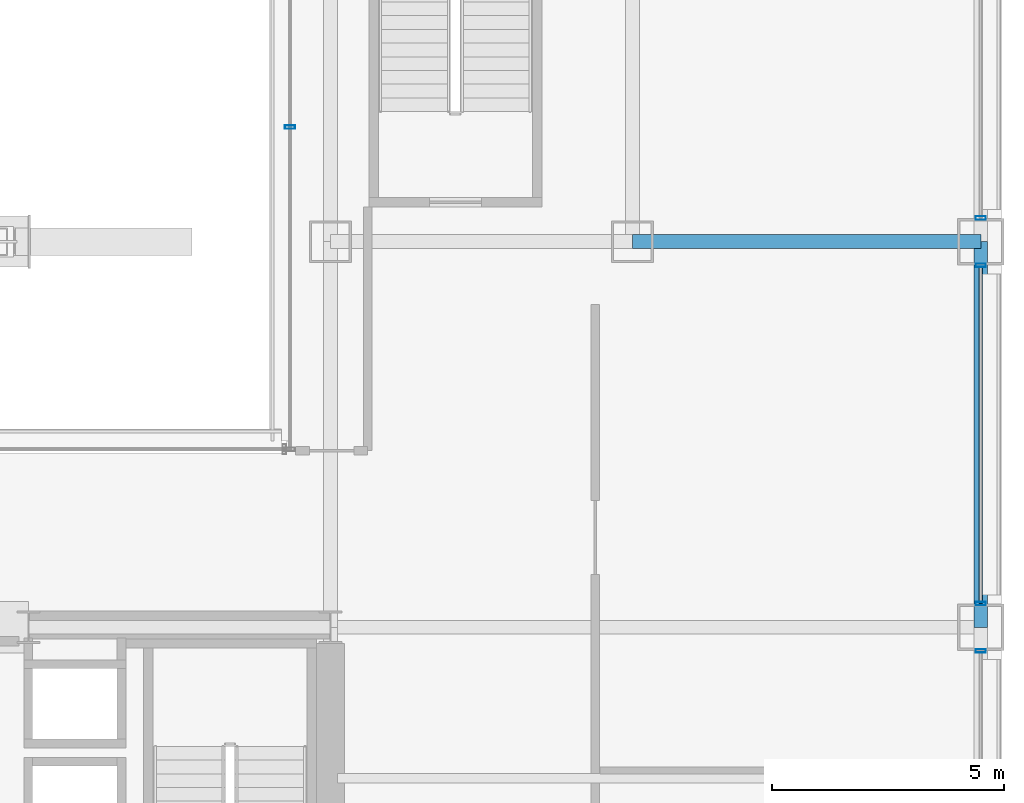
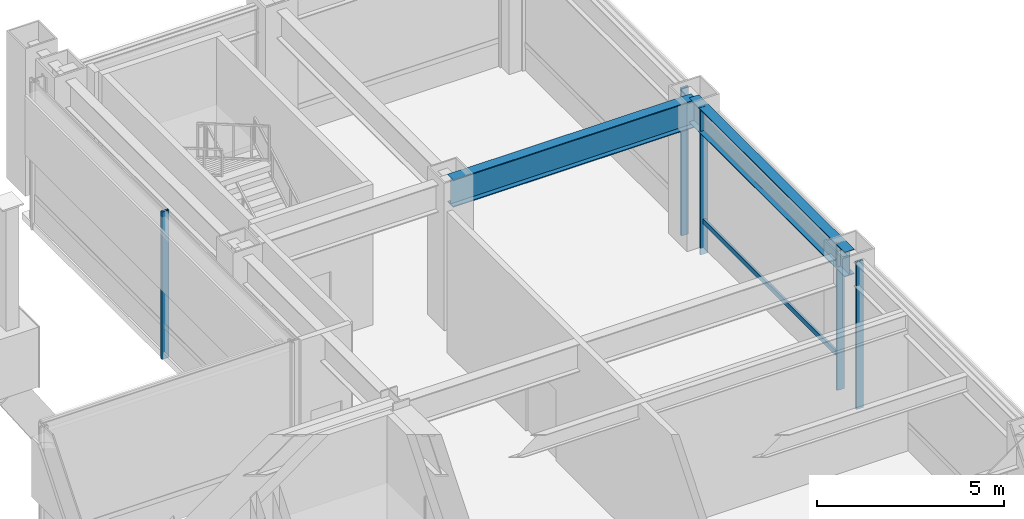
# One storey, part 25 of 42: 6 members, 2 beams, 4 elements without a shape of their own.
"""IFC4 building model written with IfcOpenShell, lengths in metres."""

from ifc_helpers import new_model, si_unit, direction, frame, origin, origin_2d, place, context, subcontext, project, spatial, hollow_rectangle, i_section, extrude, material, layer, layer_set, material_profile, profile_set, type_object, element, aggregate, save


model = new_model("IFC4")

# Units and contexts
model_context = context("Model", 3, precision=1e-05, world=origin(), true_north=direction((0.0, 1.0)))
body_context = subcontext(model_context, "Body", "Model", "MODEL_VIEW")
ifc_project = project(units=[si_unit("LENGTHUNIT", "METRE"), si_unit("AREAUNIT", "SQUARE_METRE"), si_unit("VOLUMEUNIT", "CUBIC_METRE"), si_unit("PLANEANGLEUNIT", "RADIAN"), si_unit("MASSUNIT", "GRAM", prefix="KILO")], contexts=[model_context])

# Site, building, storey
site_placement = place(None, origin())
site = spatial("IfcSite", under=ifc_project, at=site_placement, CompositionType="ELEMENT")
building_placement = place(site_placement, origin())
building = spatial("IfcBuilding", under=site, at=building_placement, Name="Brelmoor Portico Tower", CompositionType="ELEMENT")
storey_placement = place(building_placement, frame((0.0, 0.0, 9.60009765625)))
storey = spatial("IfcBuildingStorey", under=building, at=storey_placement, Name="L02", CompositionType="ELEMENT", Elevation=9.60009765625)

# Beams
ifc_material_1 = material(Name="Steel Q355B", Category="steel")
ifc_material_profile_1 = material_profile(ifc_material_1, i_section(OverallWidth=0.300048828125, OverallDepth=0.89990234375, WebThickness=0.01611328125, FlangeThickness=0.028076171875, at=origin_2d()), Name="HN 900x300x16x28")
ifc_profile_set_1 = profile_set([ifc_material_profile_1], Name="Steel Q355B")
beam_type_1 = type_object("IfcBeamType", Name="BM-PG-900", PredefinedType="BEAM", material=ifc_profile_set_1)
beam_1_placement = place(storey_placement, frame((21.050048828125, 18.050048828125, 4.1298828125), z_axis=(1.0, 0.0, 0.0), x_axis=(0.0, 1.0, 0.0)))
element("IfcBeam", 1, at=beam_1_placement, inside=storey, type_object=beam_type_1, Name="L02 Primary Floor Girder PG-43", PredefinedType="BEAM", context=body_context, shape_type="SweptSolid", body=[
    extrude(i_section(OverallWidth=0.300048828125, OverallDepth=0.89990234375, WebThickness=0.01611328125, FlangeThickness=0.028076171875, at=origin_2d()), origin(), (0.0, 0.0, 1.0), 7.5),
])
ifc_material_profile_2 = material_profile(ifc_material_1, i_section(OverallWidth=0.300048828125, OverallDepth=0.800048828125, WebThickness=0.013916015625, FlangeThickness=0.02587890625, at=origin_2d()), Name="HN 800x300x14x26")
ifc_profile_set_2 = profile_set([ifc_material_profile_2], Name="Steel Q355B")
beam_type_2 = type_object("IfcBeamType", Name="BM-SP-800", PredefinedType="SPANDREL", material=ifc_profile_set_2)
beam_2_placement = place(storey_placement, frame((28.550048828125, 9.75, 4.179931640625), z_axis=(0.0, 1.0, 0.0), x_axis=(-1.0, 0.0, 0.0)))
element("IfcBeam", 2, at=beam_2_placement, inside=storey, type_object=beam_type_2, Name="L02 Perimeter Spandrel Beam SP-19", PredefinedType="SPANDREL", context=body_context, shape_type="SweptSolid", body=[
    extrude(i_section(OverallWidth=0.300048828125, OverallDepth=0.800048828125, WebThickness=0.013916015625, FlangeThickness=0.02587890625, at=origin_2d()), origin(), (0.0, 0.0, 1.0), 8.300048828125),
])

# Curtain wall, member
ifc_material_2 = material(Name="Anodised Aluminium Alloy 6063-T6", Category="aluminium")
ifc_layer = layer(ifc_material_2, 0.179931640625)
ifc_layer_set = layer_set([ifc_layer], Name="Anodised Aluminium Alloy 6063-T6")
curtain_wall_type = type_object("IfcCurtainWallType", Name="CW-PODIUM-ARCH", PredefinedType="NOTDEFINED", material=ifc_layer_set)
curtain_wall_1_placement = place(storey_placement, origin())
curtain_wall_1 = element("IfcCurtainWall", 3, at=curtain_wall_1_placement, inside=storey, type_object=curtain_wall_type, Name="L02 Curtain Wall CW-L02-06-4", PredefinedType="NOTDEFINED")
ifc_material_profile_3 = material_profile(ifc_material_2, hollow_rectangle(XDim=0.074951171875, YDim=0.219970703125, WallThickness=0.0048828125, at=origin_2d()), Name="ALU MULLION 75x220")
ifc_profile_set_3 = profile_set([ifc_material_profile_3], Name="Anodised Aluminium Alloy 6063-T6")
member_type_1 = type_object("IfcMemberType", Name="MB-CW-MULL-220", PredefinedType="MULLION", material=ifc_profile_set_3)
member_1_placement = place(storey_placement, frame((28.550048828125, 9.239990234375, -0.22021484375), z_axis=(0.0, 0.0, 1.0), x_axis=(0.0, 1.0, 0.0)))
member_1 = element("IfcMember", 4, at=member_1_placement, type_object=member_type_1, Name="CW-L02-06-4 Mullion 01", PredefinedType="MULLION", context=body_context, shape_type="SweptSolid", body=[
    extrude(hollow_rectangle(XDim=0.074951171875, YDim=0.219970703125, WallThickness=0.0048828125, at=origin_2d()), origin(), (0.0, 0.0, 1.0), 4.800048828125),
])
aggregate(curtain_wall_1, [member_1])

# Curtain wall, members
curtain_wall_2_placement = place(storey_placement, origin())
curtain_wall_2 = element("IfcCurtainWall", 5, at=curtain_wall_2_placement, inside=storey, type_object=curtain_wall_type, Name="L02 Curtain Wall CW-L02-06-5", PredefinedType="NOTDEFINED")
member_2_placement = place(storey_placement, frame((28.550048828125, 10.260009765625, -0.22021484375), z_axis=(0.0, 0.0, 1.0), x_axis=(0.0, 1.0, 0.0)))
member_2 = element("IfcMember", 6, at=member_2_placement, type_object=member_type_1, Name="CW-L02-06-5 Mullion 00", PredefinedType="MULLION", context=body_context, shape_type="SweptSolid", body=[
    extrude(hollow_rectangle(XDim=0.074951171875, YDim=0.219970703125, WallThickness=0.0048828125, at=origin_2d()), origin(), (0.0, 0.0, 1.0), 4.800048828125),
])
member_3_placement = place(storey_placement, frame((28.550048828125, 17.5400390625, -0.22021484375), z_axis=(0.0, 0.0, 1.0), x_axis=(0.0, 1.0, 0.0)))
member_3 = element("IfcMember", 7, at=member_3_placement, type_object=member_type_1, Name="CW-L02-06-5 Mullion 01", PredefinedType="MULLION", context=body_context, shape_type="SweptSolid", body=[
    extrude(hollow_rectangle(XDim=0.074951171875, YDim=0.219970703125, WallThickness=0.0048828125, at=origin_2d()), origin(), (0.0, 0.0, 1.0), 4.800048828125),
])

# Curtain wall, member
curtain_wall_3_placement = place(storey_placement, origin())
curtain_wall_3 = element("IfcCurtainWall", 8, at=curtain_wall_3_placement, inside=storey, type_object=curtain_wall_type, Name="L02 Curtain Wall CW-L02-06-6", PredefinedType="NOTDEFINED")
member_4_placement = place(storey_placement, frame((28.550048828125, 18.56005859375, -0.22021484375), z_axis=(0.0, 0.0, 1.0), x_axis=(0.0, 1.0, 0.0)))
member_4 = element("IfcMember", 9, at=member_4_placement, type_object=member_type_1, Name="CW-L02-06-6 Mullion 00", PredefinedType="MULLION", context=body_context, shape_type="SweptSolid", body=[
    extrude(hollow_rectangle(XDim=0.074951171875, YDim=0.219970703125, WallThickness=0.0048828125, at=origin_2d()), origin(), (0.0, 0.0, 1.0), 4.800048828125),
])
aggregate(curtain_wall_3, [member_4])

curtain_wall_4_placement = place(storey_placement, origin())
curtain_wall_4 = element("IfcCurtainWall", 10, at=curtain_wall_4_placement, inside=storey, type_object=curtain_wall_type, Name="L02 Curtain Wall CW-L02-10", PredefinedType="NOTDEFINED")
member_5_placement = place(storey_placement, frame((13.679931640625, 20.514892578125, -0.22021484375), z_axis=(0.0, 0.0, 1.0), x_axis=(0.0, 1.0, 0.0)))
member_5 = element("IfcMember", 11, at=member_5_placement, type_object=member_type_1, Name="CW-L02-10 Mullion 01", PredefinedType="MULLION", context=body_context, shape_type="SweptSolid", body=[
    extrude(hollow_rectangle(XDim=0.074951171875, YDim=0.219970703125, WallThickness=0.0048828125, at=origin_2d()), origin(), (0.0, 0.0, 1.0), 4.800048828125),
])
aggregate(curtain_wall_4, [member_5])

# Member
ifc_material_profile_4 = material_profile(ifc_material_2, hollow_rectangle(XDim=0.070068359375, YDim=0.159912109375, WallThickness=0.00390625, at=origin_2d()), Name="ALU TRANSOM 70x160")
ifc_profile_set_4 = profile_set([ifc_material_profile_4], Name="Anodised Aluminium Alloy 6063-T6")
member_type_2 = type_object("IfcMemberType", Name="MB-CW-TRAN-160", PredefinedType="USERDEFINED", material=ifc_profile_set_4)
member_6_placement = place(storey_placement, frame((28.550048828125, 10.260009765625, 0.849853515625), z_axis=(0.0, 1.0, 0.0), x_axis=(-1.0, 0.0, 0.0)))
member_6 = element("IfcMember", 12, at=member_6_placement, type_object=member_type_2, Name="CW-L02-06-5 Transom 1-00", ObjectType="TRANSOM", PredefinedType="USERDEFINED", context=body_context, shape_type="SweptSolid", body=[
    extrude(hollow_rectangle(XDim=0.070068359375, YDim=0.159912109375, WallThickness=0.00390625, at=origin_2d()), origin(), (0.0, 0.0, 1.0), 7.280029296875),
])

aggregate(curtain_wall_2, [member_2, member_3, member_6])

save(model, "model.ifc")
